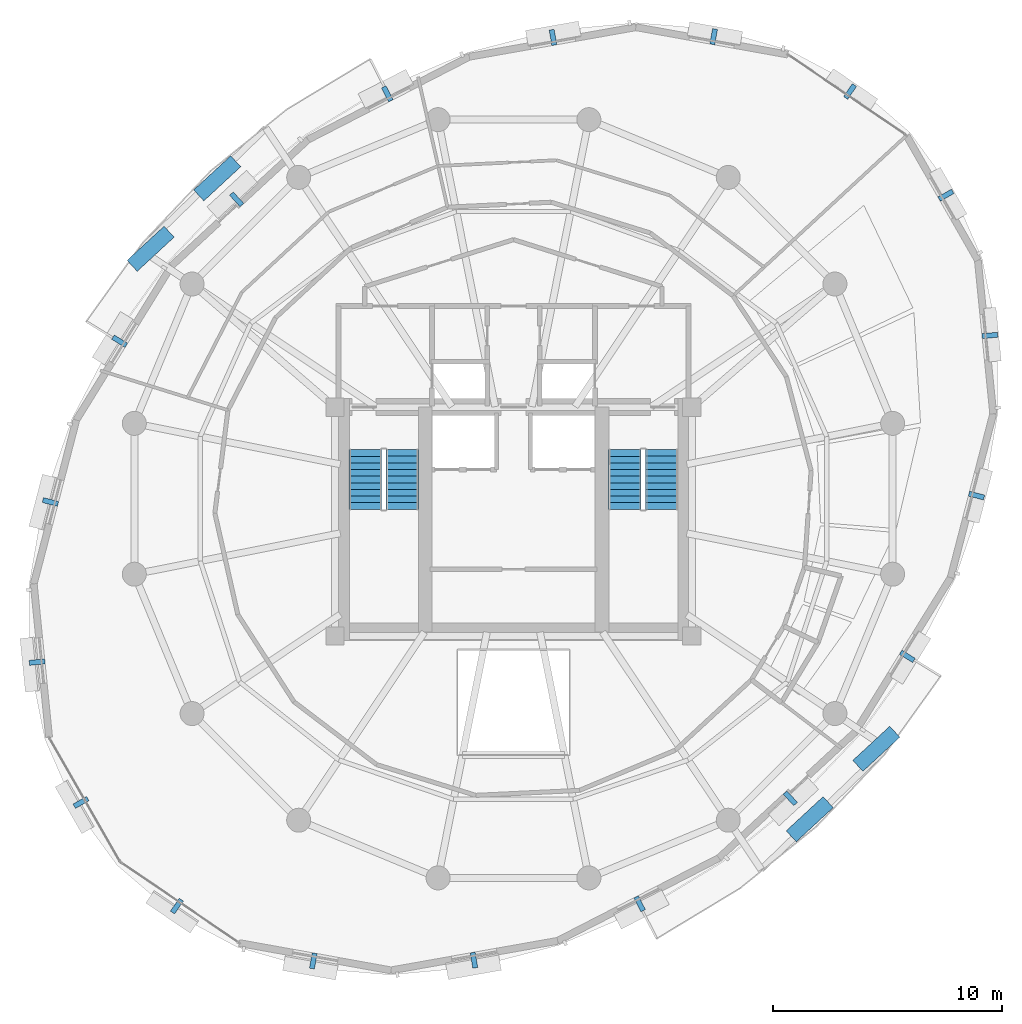
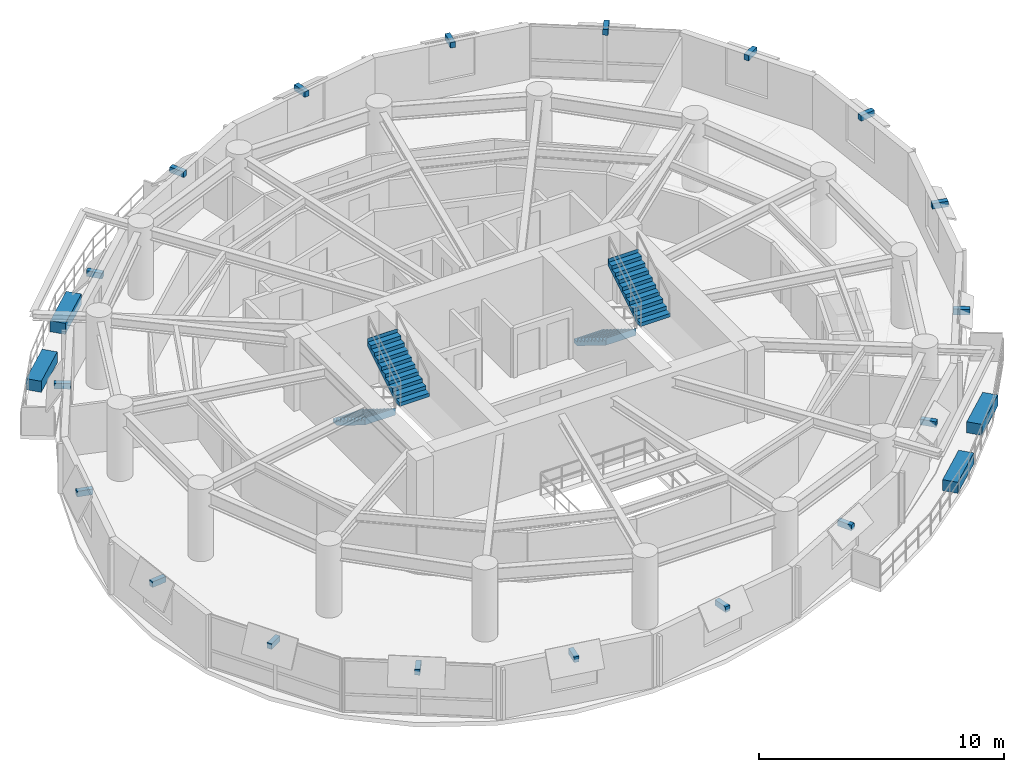
# One storey, part 10 of 12: 22 discrete accessories, 4 stair flights, 2 elements without a shape of their own.
"""IFC4 building model written with IfcOpenShell, lengths in metres."""

from ifc_helpers import new_model, si_unit, direction, frame, origin, origin_2d, place, context, subcontext, project, spatial, polyline, rectangle, outline, extrude, material, type_object, element, aggregate, save


model = new_model("IFC4")

# Units and contexts
model_context = context("Model", 3, precision=1e-05, world=origin(), true_north=direction((0.0, 1.0)))
body_context = subcontext(model_context, "Body", "Model", "MODEL_VIEW")
ifc_project = project(units=[si_unit("LENGTHUNIT", "METRE"), si_unit("AREAUNIT", "SQUARE_METRE"), si_unit("VOLUMEUNIT", "CUBIC_METRE"), si_unit("PLANEANGLEUNIT", "RADIAN"), si_unit("MASSUNIT", "GRAM", prefix="KILO"), si_unit("THERMODYNAMICTEMPERATUREUNIT", "KELVIN"), si_unit("POWERUNIT", "WATT")], contexts=[model_context])

# Site, building, storey
site_placement = place(None, origin())
site = spatial("IfcSite", under=ifc_project, at=site_placement, CompositionType="ELEMENT")
building_placement = place(site_placement, origin())
building = spatial("IfcBuilding", under=site, at=building_placement, Name="Ocrelia Relay Tower", CompositionType="ELEMENT")
storey_placement = place(building_placement, frame((0.0, 0.0, 209.60009765625)))
storey = spatial("IfcBuildingStorey", under=building, at=storey_placement, Name="L51", CompositionType="ELEMENT", Elevation=209.60009765625)

# Stair, stair flights
ifc_material_1 = material(Name="Concrete C50/60", Category="concrete")
stair_type = type_object("IfcStairType", Name="ST-DL-1420-R180", PredefinedType="HALF_TURN_STAIR", material=ifc_material_1)
stair_1_placement = place(storey_placement, origin())
stair_1 = element("IfcStair", 1, at=stair_1_placement, inside=storey, type_object=stair_type, Name="L51 West Core Exit Stair ST1", PredefinedType="HALF_TURN_STAIR")
stair_flight_type = type_object("IfcStairFlightType", Name="STF-DL-1420-R180", PredefinedType="STRAIGHT", material=ifc_material_1)
stair_flight_1_placement = place(storey_placement, frame((27.52001953125, 28.14990234375, 0.0), z_axis=(0.0, 0.0, 1.0), x_axis=(0.0, -1.0, 0.0)))
stair_flight_1 = element("IfcStairFlight", 2, at=stair_flight_1_placement, type_object=stair_flight_type, Name="ST1 flight 1", NumberOfRisers=10, NumberOfTreads=9, PredefinedType="STRAIGHT", RiserHeight=0.18, TreadLength=0.29, context=body_context, shape_type="SweptSolid", body=[
    extrude(outline(polyline([(-0.008056640625, 0.0), (-0.008056640625, 0.179931640625), (0.0, 0.179931640625), (0.2900390625, 0.179931640625), (0.2900390625, 0.360107421875), (0.580078125, 0.360107421875), (0.580078125, 0.5400390625), (0.8701171875, 0.5400390625), (0.8701171875, 0.719970703125), (1.159912109375, 0.719970703125), (1.159912109375, 0.89990234375), (1.449951171875, 0.89990234375), (1.449951171875, 1.080078125), (1.739990234375, 1.080078125), (1.739990234375, 1.260009765625), (2.030029296875, 1.260009765625), (2.030029296875, 1.43994140625), (2.320068359375, 1.43994140625), (2.320068359375, 1.6201171875), (2.610107421875, 1.6201171875), (2.610107421875, 1.800048828125), (2.617919921875, 1.800048828125), (2.617919921875, 1.443603515625), (0.2841796875, 0.0), (-0.008056640625, 0.0)])), frame((0.0, 0.7099609375, 0.0), z_axis=(0.0, -1.0, 0.0), x_axis=(1.0, 0.0, 0.0)), (0.0, 0.0, 1.0), 1.419921875),
])
stair_flight_2_placement = place(storey_placement, frame((29.139892578125, 25.5400390625, 1.7998046875), z_axis=(0.0, 0.0, 1.0), x_axis=(0.0, 1.0, 0.0)))
stair_flight_2 = element("IfcStairFlight", 3, at=stair_flight_2_placement, type_object=stair_flight_type, Name="ST1 flight 2", NumberOfRisers=10, NumberOfTreads=9, PredefinedType="STRAIGHT", RiserHeight=0.18, TreadLength=0.29, context=body_context, shape_type="SweptSolid", body=[
    extrude(outline(polyline([(-0.008056640625, 0.0), (-0.008056640625, 0.179931640625), (0.0, 0.179931640625), (0.2900390625, 0.179931640625), (0.2900390625, 0.360107421875), (0.580078125, 0.360107421875), (0.580078125, 0.5400390625), (0.8701171875, 0.5400390625), (0.8701171875, 0.719970703125), (1.159912109375, 0.719970703125), (1.159912109375, 0.89990234375), (1.449951171875, 0.89990234375), (1.449951171875, 1.080078125), (1.739990234375, 1.080078125), (1.739990234375, 1.260009765625), (2.030029296875, 1.260009765625), (2.030029296875, 1.43994140625), (2.320068359375, 1.43994140625), (2.320068359375, 1.6201171875), (2.610107421875, 1.6201171875), (2.610107421875, 1.800048828125), (2.617919921875, 1.800048828125), (2.617919921875, 1.443603515625), (0.2841796875, 0.0), (-0.008056640625, 0.0)])), frame((0.0, 0.7099609375, 0.0), z_axis=(0.0, -1.0, 0.0), x_axis=(1.0, 0.0, 0.0)), (0.0, 0.0, 1.0), 1.419921875),
])
aggregate(stair_1, [stair_flight_1, stair_flight_2])

stair_2_placement = place(storey_placement, origin())
stair_2 = element("IfcStair", 4, at=stair_2_placement, inside=storey, type_object=stair_type, Name="L51 East Core Exit Stair ST2", PredefinedType="HALF_TURN_STAIR")
stair_flight_3_placement = place(storey_placement, frame((38.8701171875, 28.14990234375, 0.0), z_axis=(0.0, 0.0, 1.0), x_axis=(0.0, -1.0, 0.0)))
stair_flight_3 = element("IfcStairFlight", 5, at=stair_flight_3_placement, type_object=stair_flight_type, Name="ST2 flight 1", NumberOfRisers=10, NumberOfTreads=9, PredefinedType="STRAIGHT", RiserHeight=0.18, TreadLength=0.29, context=body_context, shape_type="SweptSolid", body=[
    extrude(outline(polyline([(-0.008056640625, 0.0), (-0.008056640625, 0.179931640625), (0.0, 0.179931640625), (0.2900390625, 0.179931640625), (0.2900390625, 0.360107421875), (0.580078125, 0.360107421875), (0.580078125, 0.5400390625), (0.8701171875, 0.5400390625), (0.8701171875, 0.719970703125), (1.159912109375, 0.719970703125), (1.159912109375, 0.89990234375), (1.449951171875, 0.89990234375), (1.449951171875, 1.080078125), (1.739990234375, 1.080078125), (1.739990234375, 1.260009765625), (2.030029296875, 1.260009765625), (2.030029296875, 1.43994140625), (2.320068359375, 1.43994140625), (2.320068359375, 1.6201171875), (2.610107421875, 1.6201171875), (2.610107421875, 1.800048828125), (2.617919921875, 1.800048828125), (2.617919921875, 1.443603515625), (0.2841796875, 0.0), (-0.008056640625, 0.0)])), frame((0.0, 0.7099609375, 0.0), z_axis=(0.0, -1.0, 0.0), x_axis=(1.0, 0.0, 0.0)), (0.0, 0.0, 1.0), 1.419921875),
])
stair_flight_4_placement = place(storey_placement, frame((40.489990234375, 25.5400390625, 1.7998046875), z_axis=(0.0, 0.0, 1.0), x_axis=(0.0, 1.0, 0.0)))
stair_flight_4 = element("IfcStairFlight", 6, at=stair_flight_4_placement, type_object=stair_flight_type, Name="ST2 flight 2", NumberOfRisers=10, NumberOfTreads=9, PredefinedType="STRAIGHT", RiserHeight=0.18, TreadLength=0.29, context=body_context, shape_type="SweptSolid", body=[
    extrude(outline(polyline([(-0.008056640625, 0.0), (-0.008056640625, 0.179931640625), (0.0, 0.179931640625), (0.2900390625, 0.179931640625), (0.2900390625, 0.360107421875), (0.580078125, 0.360107421875), (0.580078125, 0.5400390625), (0.8701171875, 0.5400390625), (0.8701171875, 0.719970703125), (1.159912109375, 0.719970703125), (1.159912109375, 0.89990234375), (1.449951171875, 0.89990234375), (1.449951171875, 1.080078125), (1.739990234375, 1.080078125), (1.739990234375, 1.260009765625), (2.030029296875, 1.260009765625), (2.030029296875, 1.43994140625), (2.320068359375, 1.43994140625), (2.320068359375, 1.6201171875), (2.610107421875, 1.6201171875), (2.610107421875, 1.800048828125), (2.617919921875, 1.800048828125), (2.617919921875, 1.443603515625), (0.2841796875, 0.0), (-0.008056640625, 0.0)])), frame((0.0, 0.7099609375, 0.0), z_axis=(0.0, -1.0, 0.0), x_axis=(1.0, 0.0, 0.0)), (0.0, 0.0, 1.0), 1.419921875),
])
aggregate(stair_2, [stair_flight_3, stair_flight_4])

# Discrete accessories
ifc_material_2 = material(Name="Precast concrete C40/50 planter with highland greenery", Category="concrete")
discrete_accessory_type_1 = type_object("IfcDiscreteAccessoryType", Name="ACC-BALC-PLANTER", PredefinedType="USERDEFINED", material=ifc_material_2)
for number, where, z_axis, x_axis, name in (
    (7, (21.05029296875, 40.0087890625, 0.0), (0.0, 0.0, 1.0), (0.734327319211, 0.67879554231, 0.0), "L51 Balcony Terracotta Planter with Greenery B1"),
    (8, (18.13720703125, 36.9296875, 0.0), (0.0, 0.0, 1.0), (0.734327319211, 0.67879554231, 0.0), "L51 Balcony Terracotta Planter B1-2"),
    (9, (46.94970703125, 11.9912109375, 0.0), (0.0, 0.0, 1.0), (-0.734327319211, -0.67879554231, 0.0), "L51 Balcony Terracotta Planter with Greenery B2"),
    (10, (49.86279296875, 15.0703125, 0.0), (0.0, 0.0, 1.0), (-0.734327319211, -0.67879554231, 0.0), "L51 Balcony Terracotta Planter B2-2"),
):
    element("IfcDiscreteAccessory", number, at=place(storey_placement, frame(where, z_axis=z_axis, x_axis=x_axis)), inside=storey, type_object=discrete_accessory_type_1, Name=name, ObjectType="PLANTER", PredefinedType="USERDEFINED", context=body_context, shape_type="SweptSolid", body=[
        extrude(rectangle(XDim=2.199951171875, YDim=0.64990234375, at=origin_2d()), origin(), (0.0, 0.0, 1.0), 0.550048828125),
    ])
ifc_material_3 = material(Name="Steel S355", Category="steel")
discrete_accessory_type_2 = type_object("IfcDiscreteAccessoryType", Name="ACC-VISOR-BRACKET", PredefinedType="BRACKET", material=ifc_material_3)
for number, where, z_axis, x_axis, name in (
    (11, (48.714599609375, 43.806884765625, 2.35986328125), (0.0, 0.0, 1.0), (-0.826390290705, 0.563097760098, 0.0), "L51 Visor Mounting Bracket 01"),
    (12, (42.75146484375, 46.202880859375, 2.35986328125), (0.0, 0.0, 1.0), (-0.984177998665, 0.177182580813, 0.0), "L51 Visor Mounting Bracket 02"),
    (13, (35.727783203125, 46.17041015625, 2.35986328125), (0.0, 0.0, 1.0), (-0.984641974301, -0.174585745251, 0.0), "L51 Visor Mounting Bracket 03"),
    (14, (28.48388671875, 43.705078125, 2.35986328125), (0.0, 0.0, 1.0), (-0.889484152815, -0.45696601831, 0.0), "L51 Visor Mounting Bracket 04"),
    (15, (21.898193359375, 39.091552734375, 2.35986328125), (0.0, 0.0, 1.0), (-0.73432773134, -0.678795096465, 0.0), "L51 Visor Mounting Bracket 05"),
    (16, (16.7822265625, 32.88818359375, 2.35986328125), (0.0, 0.0, 1.0), (-0.525338443164, -0.850893365901, 0.0), "L51 Visor Mounting Bracket 06"),
    (17, (13.75634765625, 25.85986328125, 2.35986328125), (0.0, 0.0, 1.0), (-0.251310705455, -0.967906467239, 0.0), "L51 Visor Mounting Bracket 07"),
    (18, (13.1728515625, 18.860595703125, 2.35986328125), (0.0, 0.0, 1.0), (0.099436195657, -0.995043940232, 0.0), "L51 Visor Mounting Bracket 08"),
    (19, (15.093505859375, 12.727783203125, 2.35986328125), (0.0, 0.0, 1.0), (0.496524565709, -0.868022670008, 0.0), "L51 Visor Mounting Bracket 09"),
    (20, (19.285400390625, 8.193115234375, 2.35986328125), (0.0, 0.0, 1.0), (0.826390290705, -0.563097760098, 0.0), "L51 Visor Mounting Bracket 10"),
    (21, (25.24853515625, 5.797119140625, 2.35986328125), (0.0, 0.0, 1.0), (0.984177998665, -0.177182580813, 0.0), "L51 Visor Mounting Bracket 11"),
    (22, (32.272216796875, 5.82958984375, 2.35986328125), (0.0, 0.0, 1.0), (0.984641974301, 0.174585745251, 0.0), "L51 Visor Mounting Bracket 12"),
    (23, (39.51611328125, 8.294921875, 2.35986328125), (0.0, 0.0, 1.0), (0.889484152815, 0.45696601831, 0.0), "L51 Visor Mounting Bracket 13"),
    (24, (46.101806640625, 12.908447265625, 2.35986328125), (0.0, 0.0, 1.0), (0.73432773134, 0.678795096465, 0.0), "L51 Visor Mounting Bracket 14"),
    (25, (51.2177734375, 19.11181640625, 2.35986328125), (0.0, 0.0, 1.0), (0.525338443164, 0.850893365901, 0.0), "L51 Visor Mounting Bracket 15"),
    (26, (54.24365234375, 26.14013671875, 2.35986328125), (0.0, 0.0, 1.0), (0.251310705455, 0.967906467239, 0.0), "L51 Visor Mounting Bracket 16"),
    (27, (54.8271484375, 33.139404296875, 2.35986328125), (0.0, 0.0, 1.0), (-0.099436195657, 0.995043940232, 0.0), "L51 Visor Mounting Bracket 17"),
    (28, (52.906494140625, 39.272216796875, 2.35986328125), (0.0, 0.0, 1.0), (-0.496524565709, 0.868022670008, 0.0), "L51 Visor Mounting Bracket 18"),
):
    element("IfcDiscreteAccessory", number, at=place(storey_placement, frame(where, z_axis=z_axis, x_axis=x_axis)), inside=storey, type_object=discrete_accessory_type_2, Name=name, PredefinedType="BRACKET", context=body_context, shape_type="SweptSolid", body=[
        extrude(rectangle(XDim=0.219970703125, YDim=0.679931640625, at=origin_2d()), origin(), (0.0, 0.0, 1.0), 0.280029296875),
    ])

save(model, "model.ifc")
